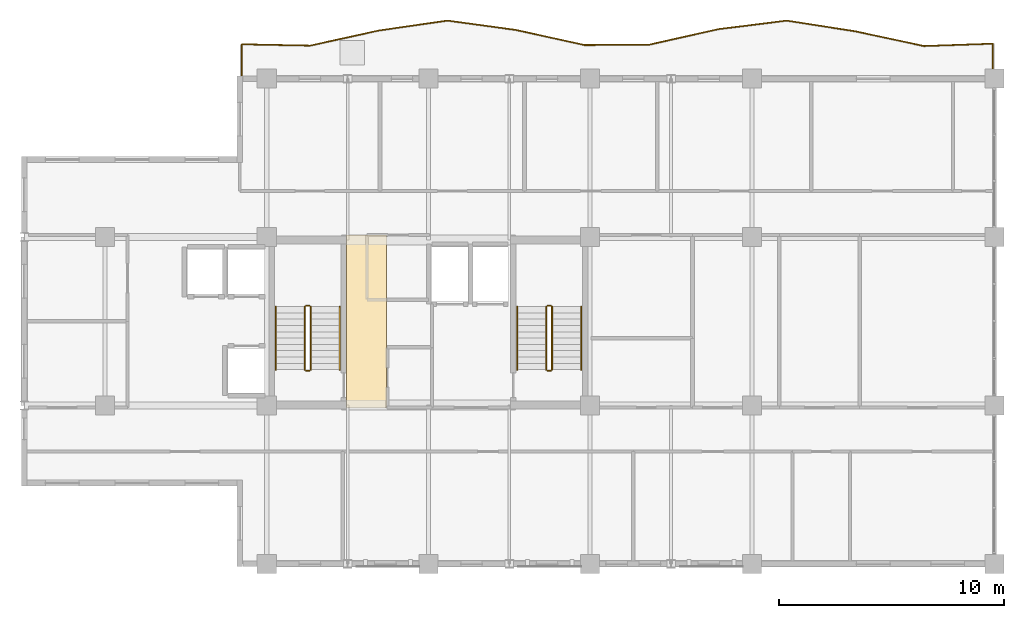
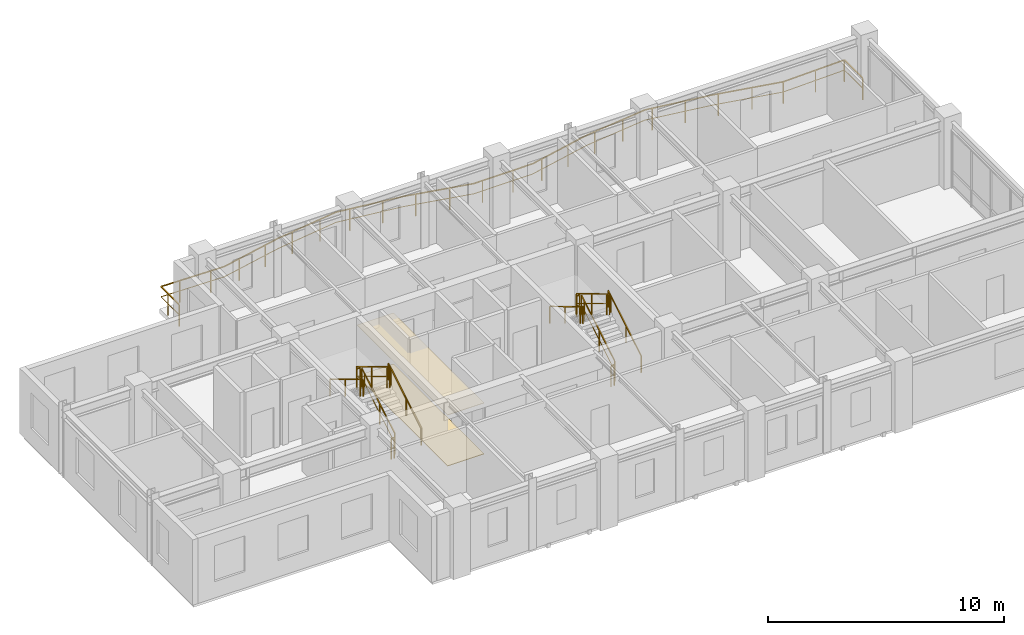
# One storey, part 10 of 10: 13 railings, 2 coverings.
"""IFC4 building model written with IfcOpenShell, lengths in metres."""

from ifc_helpers import new_model, si_unit, direction, frame, origin, origin_2d, place, context, subcontext, project, spatial, rectangle, extrude, source, transform, mapped, material, layer, layer_set, type_object, element, save


model = new_model("IFC4")

# Units and contexts
model_context = context("Model", 3, precision=1e-05, world=origin(), true_north=direction((0.0, 1.0)))
body_context = subcontext(model_context, "Body", "Model", "MODEL_VIEW")
ifc_project = project(units=[si_unit("LENGTHUNIT", "METRE"), si_unit("AREAUNIT", "SQUARE_METRE"), si_unit("VOLUMEUNIT", "CUBIC_METRE"), si_unit("PLANEANGLEUNIT", "RADIAN"), si_unit("MASSUNIT", "GRAM", prefix="KILO")], contexts=[model_context])

# Site, building, storey
site_placement = place(None, origin())
site = spatial("IfcSite", under=ifc_project, at=site_placement, CompositionType="ELEMENT")
building_placement = place(site_placement, origin())
building = spatial("IfcBuilding", under=site, at=building_placement, Name="Kaliganga Portal Commons", CompositionType="ELEMENT")
storey_placement = place(building_placement, frame((0.0, 0.0, 294.300048828125)))
storey = spatial("IfcBuildingStorey", under=building, at=storey_placement, Name="L76", CompositionType="ELEMENT", Elevation=294.300048828125)

# Railings
ifc_material_1 = material(Name="Laminated Safety Glass and Stainless Steel 316", Category="steel")
railing_type_1 = type_object("IfcRailingType", Name="RLG-BAL-1150", PredefinedType="BALUSTRADE", material=ifc_material_1)
railing_1_placement = place(storey_placement, frame((46.720458984375, 43.207763671875, 0.0)))
element("IfcRailing", 1, at=railing_1_placement, inside=storey, type_object=railing_type_1, Name="Balcony Guardrail L76 balc_north", PredefinedType="BALUSTRADE", context=body_context, shape_type="SweptSolid", body=[
    extrude(rectangle(XDim=0.048095703125, YDim=0.048095703125, at=origin_2d()), frame((0.0, 0.0, 1.1259765625), z_axis=(-0.000314415957, 0.999999950571, 0.0), x_axis=(-0.999999950571, -0.000314415957, 0.0)), (0.0, 0.0, 1.0), 1.552978515625),
    extrude(rectangle(XDim=0.028076171875, YDim=0.028076171875, at=origin_2d()), frame((0.0, 0.0, 0.597900390625), z_axis=(-0.000314415957, 0.999999950571, 0.0), x_axis=(-0.999999950571, -0.000314415957, 0.0)), (0.0, 0.0, 1.0), 1.552978515625),
    extrude(rectangle(XDim=0.048095703125, YDim=0.048095703125, at=origin_2d()), frame((-0.00048828125, 1.552978515625, 1.1259765625), z_axis=(-0.999409882753, -0.034349472431, 0.0), x_axis=(0.034349472431, -0.999409882753, 0.0)), (0.0, 0.0, 1.0), 3.05615234375),
    extrude(rectangle(XDim=0.028076171875, YDim=0.028076171875, at=origin_2d()), frame((-0.00048828125, 1.552978515625, 0.597900390625), z_axis=(-0.999409882753, -0.034349472431, 0.0), x_axis=(0.034349472431, -0.999409882753, 0.0)), (0.0, 0.0, 1.0), 3.05615234375),
    extrude(rectangle(XDim=0.048095703125, YDim=0.048095703125, at=origin_2d()), frame((-3.054931640625, 1.447998046875, 1.1259765625), z_axis=(-0.977817280433, 0.209459700388, 0.0), x_axis=(-0.209459700388, -0.977817280433, 0.0)), (0.0, 0.0, 1.0), 3.123779296875),
    extrude(rectangle(XDim=0.028076171875, YDim=0.028076171875, at=origin_2d()), frame((-3.054931640625, 1.447998046875, 0.597900390625), z_axis=(-0.977817280433, 0.209459700388, 0.0), x_axis=(-0.209459700388, -0.977817280433, 0.0)), (0.0, 0.0, 1.0), 3.123779296875),
    extrude(rectangle(XDim=0.048095703125, YDim=0.048095703125, at=origin_2d()), frame((-6.109375, 2.102294921875, 1.1259765625), z_axis=(-0.987996218209, 0.154478065773, 0.0), x_axis=(-0.154478065773, -0.987996218209, 0.0)), (0.0, 0.0, 1.0), 3.09130859375),
    extrude(rectangle(XDim=0.028076171875, YDim=0.028076171875, at=origin_2d()), frame((-6.109375, 2.102294921875, 0.597900390625), z_axis=(-0.987996218209, 0.154478065773, 0.0), x_axis=(-0.154478065773, -0.987996218209, 0.0)), (0.0, 0.0, 1.0), 3.09130859375),
    extrude(rectangle(XDim=0.048095703125, YDim=0.048095703125, at=origin_2d()), frame((-9.16357421875, 2.579833984375, 1.1259765625), z_axis=(-0.992315657939, -0.123732109854, 0.0), x_axis=(0.123732109854, -0.992315657939, 0.0)), (0.0, 0.0, 1.0), 3.078125),
    extrude(rectangle(XDim=0.028076171875, YDim=0.028076171875, at=origin_2d()), frame((-9.16357421875, 2.579833984375, 0.597900390625), z_axis=(-0.992315657939, -0.123732109854, 0.0), x_axis=(0.123732109854, -0.992315657939, 0.0)), (0.0, 0.0, 1.0), 3.078125),
    extrude(rectangle(XDim=0.048095703125, YDim=0.048095703125, at=origin_2d()), frame((-12.218017578125, 2.198974609375, 1.1259765625), z_axis=(-0.975683592517, -0.219183775159, 0.0), x_axis=(0.219183775159, -0.975683592517, 0.0)), (0.0, 0.0, 1.0), 3.131103515625),
    extrude(rectangle(XDim=0.028076171875, YDim=0.028076171875, at=origin_2d()), frame((-12.218017578125, 2.198974609375, 0.597900390625), z_axis=(-0.975683592517, -0.219183775159, 0.0), x_axis=(0.219183775159, -0.975683592517, 0.0)), (0.0, 0.0, 1.0), 3.131103515625),
    extrude(rectangle(XDim=0.048095703125, YDim=0.048095703125, at=origin_2d()), frame((-15.27294921875, 1.5126953125, 1.1259765625), z_axis=(-0.999971839813, -0.0075046373, 0.0), x_axis=(0.0075046373, -0.999971839813, 0.0)), (0.0, 0.0, 1.0), 2.895263671875),
    extrude(rectangle(XDim=0.028076171875, YDim=0.028076171875, at=origin_2d()), frame((-15.27294921875, 1.5126953125, 0.597900390625), z_axis=(-0.999971839813, -0.0075046373, 0.0), x_axis=(0.0075046373, -0.999971839813, 0.0)), (0.0, 0.0, 1.0), 2.895263671875),
    extrude(rectangle(XDim=0.048095703125, YDim=0.048095703125, at=origin_2d()), frame((-18.168212890625, 1.490966796875, 1.1259765625), z_axis=(-0.976605796385, 0.215037481541, 0.0), x_axis=(-0.215037481541, -0.976605796385, 0.0)), (0.0, 0.0, 1.0), 3.1279296875),
    extrude(rectangle(XDim=0.028076171875, YDim=0.028076171875, at=origin_2d()), frame((-18.168212890625, 1.490966796875, 0.597900390625), z_axis=(-0.976605796385, 0.215037481541, 0.0), x_axis=(-0.215037481541, -0.976605796385, 0.0)), (0.0, 0.0, 1.0), 3.1279296875),
    extrude(rectangle(XDim=0.048095703125, YDim=0.048095703125, at=origin_2d()), frame((-21.222900390625, 2.16357421875, 1.1259765625), z_axis=(-0.990745644969, 0.135731599031, 0.0), x_axis=(-0.135731599031, -0.990745644969, 0.0)), (0.0, 0.0, 1.0), 3.0830078125),
    extrude(rectangle(XDim=0.028076171875, YDim=0.028076171875, at=origin_2d()), frame((-21.222900390625, 2.16357421875, 0.597900390625), z_axis=(-0.990745644969, 0.135731599031, 0.0), x_axis=(-0.135731599031, -0.990745644969, 0.0)), (0.0, 0.0, 1.0), 3.0830078125),
    extrude(rectangle(XDim=0.048095703125, YDim=0.048095703125, at=origin_2d()), frame((-24.27734375, 2.58203125, 1.1259765625), z_axis=(-0.989649855278, -0.14350318445, 0.0), x_axis=(0.14350318445, -0.989649855278, 0.0)), (0.0, 0.0, 1.0), 3.086181640625),
    extrude(rectangle(XDim=0.028076171875, YDim=0.028076171875, at=origin_2d()), frame((-24.27734375, 2.58203125, 0.597900390625), z_axis=(-0.989649855278, -0.14350318445, 0.0), x_axis=(0.14350318445, -0.989649855278, 0.0)), (0.0, 0.0, 1.0), 3.086181640625),
    extrude(rectangle(XDim=0.048095703125, YDim=0.048095703125, at=origin_2d()), frame((-27.33154296875, 2.13916015625, 1.1259765625), z_axis=(-0.976634964869, -0.214904968291, 0.0), x_axis=(0.214904968291, -0.976634964869, 0.0)), (0.0, 0.0, 1.0), 3.12744140625),
    extrude(rectangle(XDim=0.028076171875, YDim=0.028076171875, at=origin_2d()), frame((-27.33154296875, 2.13916015625, 0.597900390625), z_axis=(-0.976634964869, -0.214904968291, 0.0), x_axis=(0.214904968291, -0.976634964869, 0.0)), (0.0, 0.0, 1.0), 3.12744140625),
    extrude(rectangle(XDim=0.048095703125, YDim=0.048095703125, at=origin_2d()), frame((-30.385986328125, 1.467041015625, 1.1259765625), z_axis=(-0.999808312745, 0.019579013398, 0.0), x_axis=(-0.019579013398, -0.999808312745, 0.0)), (0.0, 0.0, 1.0), 3.054931640625),
    extrude(rectangle(XDim=0.028076171875, YDim=0.028076171875, at=origin_2d()), frame((-30.385986328125, 1.467041015625, 0.597900390625), z_axis=(-0.999808312745, 0.019579013398, 0.0), x_axis=(-0.019579013398, -0.999808312745, 0.0)), (0.0, 0.0, 1.0), 3.054931640625),
    extrude(rectangle(XDim=0.048095703125, YDim=0.048095703125, at=origin_2d()), frame((-33.4404296875, 1.52685546875, 1.1259765625), z_axis=(-0.000319795315, -0.999999948865, 0.0), x_axis=(0.999999948865, -0.000319795315, 0.0)), (0.0, 0.0, 1.0), 1.52685546875),
    extrude(rectangle(XDim=0.028076171875, YDim=0.028076171875, at=origin_2d()), frame((-33.4404296875, 1.52685546875, 0.597900390625), z_axis=(-0.000319795315, -0.999999948865, 0.0), x_axis=(0.999999948865, -0.000319795315, 0.0)), (0.0, 0.0, 1.0), 1.52685546875),
    extrude(rectangle(XDim=0.0419921875, YDim=0.0419921875, at=origin_2d()), origin(), (0.0, 0.0, 1.0), 1.101806640625),
    extrude(rectangle(XDim=0.0419921875, YDim=0.0419921875, at=origin_2d()), frame((-0.00048828125, 1.552978515625, 0.0)), (0.0, 0.0, 1.0), 1.101806640625),
    extrude(rectangle(XDim=0.0419921875, YDim=0.0419921875, at=origin_2d()), frame((-1.44677734375, 1.503173828125, 0.0)), (0.0, 0.0, 1.0), 1.101806640625),
    extrude(rectangle(XDim=0.0419921875, YDim=0.0419921875, at=origin_2d()), frame((-3.054931640625, 1.447998046875, 0.0)), (0.0, 0.0, 1.0), 1.101806640625),
    extrude(rectangle(XDim=0.0419921875, YDim=0.0419921875, at=origin_2d()), frame((-4.414794921875, 1.7392578125, 0.0)), (0.0, 0.0, 1.0), 1.101806640625),
    extrude(rectangle(XDim=0.0419921875, YDim=0.0419921875, at=origin_2d()), frame((-5.881591796875, 2.053466796875, 0.0)), (0.0, 0.0, 1.0), 1.101806640625),
    extrude(rectangle(XDim=0.0419921875, YDim=0.0419921875, at=origin_2d()), frame((-7.361083984375, 2.298095703125, 0.0)), (0.0, 0.0, 1.0), 1.101806640625),
    extrude(rectangle(XDim=0.0419921875, YDim=0.0419921875, at=origin_2d()), frame((-8.84326171875, 2.52978515625, 0.0)), (0.0, 0.0, 1.0), 1.101806640625),
    extrude(rectangle(XDim=0.0419921875, YDim=0.0419921875, at=origin_2d()), frame((-10.330322265625, 2.434326171875, 0.0)), (0.0, 0.0, 1.0), 1.101806640625),
    extrude(rectangle(XDim=0.0419921875, YDim=0.0419921875, at=origin_2d()), frame((-11.81884765625, 2.248779296875, 0.0)), (0.0, 0.0, 1.0), 1.101806640625),
    extrude(rectangle(XDim=0.0419921875, YDim=0.0419921875, at=origin_2d()), frame((-13.2890625, 1.95849609375, 0.0)), (0.0, 0.0, 1.0), 1.101806640625),
    extrude(rectangle(XDim=0.0419921875, YDim=0.0419921875, at=origin_2d()), frame((-14.75244140625, 1.629638671875, 0.0)), (0.0, 0.0, 1.0), 1.101806640625),
    extrude(rectangle(XDim=0.0419921875, YDim=0.0419921875, at=origin_2d()), frame((-16.239501953125, 1.50537109375, 0.0)), (0.0, 0.0, 1.0), 1.101806640625),
    extrude(rectangle(XDim=0.0419921875, YDim=0.0419921875, at=origin_2d()), frame((-17.739501953125, 1.494140625, 0.0)), (0.0, 0.0, 1.0), 1.101806640625),
    extrude(rectangle(XDim=0.0419921875, YDim=0.0419921875, at=origin_2d()), frame((-19.21435546875, 1.721435546875, 0.0)), (0.0, 0.0, 1.0), 1.101806640625),
    extrude(rectangle(XDim=0.0419921875, YDim=0.0419921875, at=origin_2d()), frame((-20.67919921875, 2.0439453125, 0.0)), (0.0, 0.0, 1.0), 1.101806640625),
    extrude(rectangle(XDim=0.0419921875, YDim=0.0419921875, at=origin_2d()), frame((-22.157470703125, 2.29150390625, 0.0)), (0.0, 0.0, 1.0), 1.101806640625),
    extrude(rectangle(XDim=0.0419921875, YDim=0.0419921875, at=origin_2d()), frame((-23.6435546875, 2.4951171875, 0.0)), (0.0, 0.0, 1.0), 1.101806640625),
    extrude(rectangle(XDim=0.0419921875, YDim=0.0419921875, at=origin_2d()), frame((-25.12890625, 2.45849609375, 0.0)), (0.0, 0.0, 1.0), 1.101806640625),
    extrude(rectangle(XDim=0.0419921875, YDim=0.0419921875, at=origin_2d()), frame((-26.61328125, 2.243408203125, 0.0)), (0.0, 0.0, 1.0), 1.101806640625),
    extrude(rectangle(XDim=0.0419921875, YDim=0.0419921875, at=origin_2d()), frame((-28.087646484375, 1.97265625, 0.0)), (0.0, 0.0, 1.0), 1.101806640625),
    extrude(rectangle(XDim=0.0419921875, YDim=0.0419921875, at=origin_2d()), frame((-29.552734375, 1.650390625, 0.0)), (0.0, 0.0, 1.0), 1.101806640625),
    extrude(rectangle(XDim=0.0419921875, YDim=0.0419921875, at=origin_2d()), frame((-31.032470703125, 1.479736328125, 0.0)), (0.0, 0.0, 1.0), 1.101806640625),
    extrude(rectangle(XDim=0.0419921875, YDim=0.0419921875, at=origin_2d()), frame((-32.5322265625, 1.509033203125, 0.0)), (0.0, 0.0, 1.0), 1.101806640625),
    extrude(rectangle(XDim=0.0419921875, YDim=0.0419921875, at=origin_2d()), frame((-33.440673828125, 0.93505859375, 0.0)), (0.0, 0.0, 1.0), 1.101806640625),
    extrude(rectangle(XDim=0.0419921875, YDim=0.0419921875, at=origin_2d()), frame((-33.44091796875, 0.0, 0.0)), (0.0, 0.0, 1.0), 1.101806640625),
])
ifc_material_2 = material(Name="Galvanized Painted Steel Balustrade", Category="steel")
railing_type_2 = type_object("IfcRailingType", Name="RLG-STAIR-GRD", PredefinedType="GUARDRAIL", material=ifc_material_2)
railing_2_placement = place(storey_placement, frame((16.35009765625, 30.25, 0.168212890625)))
element("IfcRailing", 2, at=railing_2_placement, inside=storey, type_object=railing_type_2, Name="L76 ST-A1 stair guard 1", PredefinedType="GUARDRAIL", context=body_context, shape_type="SweptSolid", body=[
    extrude(rectangle(XDim=0.048095703125, YDim=0.048095703125, at=origin_2d()), frame((0.0, 0.0, 1.072021484375), z_axis=(0.0, 0.857275202839, 0.514858452973), x_axis=(-1.0, 0.0, 0.0)), (0.0, 0.0, 1.0), 3.26611328125),
    extrude(rectangle(XDim=0.028076171875, YDim=0.028076171875, at=origin_2d()), frame((0.0, 0.0, 0.572021484375), z_axis=(0.0, 0.857275202839, 0.514858452973), x_axis=(-1.0, 0.0, 0.0)), (0.0, 0.0, 1.0), 3.26611328125),
    extrude(rectangle(XDim=0.0419921875, YDim=0.0419921875, at=origin_2d()), origin(), (0.0, 0.0, 1.0), 1.052001953125),
    extrude(rectangle(XDim=0.0419921875, YDim=0.0419921875, at=origin_2d()), frame((0.0, 1.285888671875, 0.772216796875)), (0.0, 0.0, 1.0), 1.052001953125),
    extrude(rectangle(XDim=0.0419921875, YDim=0.0419921875, at=origin_2d()), frame((0.0, 2.57177734375, 1.544677734375)), (0.0, 0.0, 1.0), 1.052001953125),
    extrude(rectangle(XDim=0.0419921875, YDim=0.0419921875, at=origin_2d()), frame((0.0, 2.800048828125, 1.681640625)), (0.0, 0.0, 1.0), 1.052001953125),
])
railing_3_placement = place(storey_placement, frame((16.300048828125, 33.10009765625, 1.849853515625)))
element("IfcRailing", 3, at=railing_3_placement, inside=storey, type_object=railing_type_2, Name="L76 ST-A1 stair guard 2", PredefinedType="GUARDRAIL", context=body_context, shape_type="SweptSolid", body=[
    extrude(rectangle(XDim=0.048095703125, YDim=0.048095703125, at=origin_2d()), frame((0.0, 0.0, 1.076171875), z_axis=(-1.0, 0.0, 0.0), x_axis=(0.0, -1.0, 0.0)), (0.0, 0.0, 1.0), 0.150146484375),
    extrude(rectangle(XDim=0.028076171875, YDim=0.028076171875, at=origin_2d()), frame((0.0, 0.0, 0.572021484375), z_axis=(-1.0, 0.0, 0.0), x_axis=(0.0, -1.0, 0.0)), (0.0, 0.0, 1.0), 0.150146484375),
    extrude(rectangle(XDim=0.0419921875, YDim=0.0419921875, at=origin_2d()), origin(), (0.0, 0.0, 1.0), 1.052001953125),
    extrude(rectangle(XDim=0.0419921875, YDim=0.0419921875, at=origin_2d()), frame((-0.150146484375, 0.0, 0.0)), (0.0, 0.0, 1.0), 1.052001953125),
])
railing_4_placement = place(storey_placement, frame((16.10009765625, 33.050048828125, 2.01806640625)))
element("IfcRailing", 4, at=railing_4_placement, inside=storey, type_object=railing_type_2, Name="L76 ST-A1 stair guard 3", PredefinedType="GUARDRAIL", context=body_context, shape_type="SweptSolid", body=[
    extrude(rectangle(XDim=0.048095703125, YDim=0.048095703125, at=origin_2d()), frame((0.0, 0.0, 1.072021484375), z_axis=(0.0, -0.857242210791, 0.514913383045), x_axis=(1.0, 0.0, 0.0)), (0.0, 0.0, 1.0), 3.266357421875),
    extrude(rectangle(XDim=0.028076171875, YDim=0.028076171875, at=origin_2d()), frame((0.0, 0.0, 0.572021484375), z_axis=(0.0, -0.857242210791, 0.514913383045), x_axis=(1.0, 0.0, 0.0)), (0.0, 0.0, 1.0), 3.266357421875),
    extrude(rectangle(XDim=0.0419921875, YDim=0.0419921875, at=origin_2d()), origin(), (0.0, 0.0, 1.0), 1.052001953125),
    extrude(rectangle(XDim=0.0419921875, YDim=0.0419921875, at=origin_2d()), frame((0.0, -1.285888671875, 0.7724609375)), (0.0, 0.0, 1.0), 1.052001953125),
    extrude(rectangle(XDim=0.0419921875, YDim=0.0419921875, at=origin_2d()), frame((0.0, -2.57177734375, 1.544677734375)), (0.0, 0.0, 1.0), 1.052001953125),
    extrude(rectangle(XDim=0.0419921875, YDim=0.0419921875, at=origin_2d()), frame((0.0, -2.800048828125, 1.681884765625)), (0.0, 0.0, 1.0), 1.052001953125),
])
railing_5_placement = place(storey_placement, frame((16.300048828125, 30.199951171875, 0.0)))
element("IfcRailing", 5, at=railing_5_placement, inside=storey, type_object=railing_type_2, Name="L76 ST-A1 stair guard 4", PredefinedType="GUARDRAIL", context=body_context, shape_type="SweptSolid", body=[
    extrude(rectangle(XDim=0.048095703125, YDim=0.048095703125, at=origin_2d()), frame((0.0, 0.0, 1.076171875), z_axis=(-1.0, 0.0, 0.0), x_axis=(0.0, -1.0, 0.0)), (0.0, 0.0, 1.0), 0.150146484375),
    extrude(rectangle(XDim=0.028076171875, YDim=0.028076171875, at=origin_2d()), frame((0.0, 0.0, 0.572021484375), z_axis=(-1.0, 0.0, 0.0), x_axis=(0.0, -1.0, 0.0)), (0.0, 0.0, 1.0), 0.150146484375),
    extrude(rectangle(XDim=0.0419921875, YDim=0.0419921875, at=origin_2d()), origin(), (0.0, 0.0, 1.0), 1.052001953125),
    extrude(rectangle(XDim=0.0419921875, YDim=0.0419921875, at=origin_2d()), frame((-0.150146484375, 0.0, 0.0)), (0.0, 0.0, 1.0), 1.052001953125),
])
railing_6_placement = place(storey_placement, frame((27.10009765625, 30.25, 0.168212890625)))
element("IfcRailing", 6, at=railing_6_placement, inside=storey, type_object=railing_type_2, Name="L76 ST-A2 stair guard 1", PredefinedType="GUARDRAIL", context=body_context, shape_type="SweptSolid", body=[
    extrude(rectangle(XDim=0.048095703125, YDim=0.048095703125, at=origin_2d()), frame((0.0, 0.0, 1.072021484375), z_axis=(0.0, 0.857275202839, 0.514858452973), x_axis=(-1.0, 0.0, 0.0)), (0.0, 0.0, 1.0), 3.26611328125),
    extrude(rectangle(XDim=0.028076171875, YDim=0.028076171875, at=origin_2d()), frame((0.0, 0.0, 0.572021484375), z_axis=(0.0, 0.857275202839, 0.514858452973), x_axis=(-1.0, 0.0, 0.0)), (0.0, 0.0, 1.0), 3.26611328125),
    extrude(rectangle(XDim=0.0419921875, YDim=0.0419921875, at=origin_2d()), origin(), (0.0, 0.0, 1.0), 1.052001953125),
    extrude(rectangle(XDim=0.0419921875, YDim=0.0419921875, at=origin_2d()), frame((0.0, 1.285888671875, 0.772216796875)), (0.0, 0.0, 1.0), 1.052001953125),
    extrude(rectangle(XDim=0.0419921875, YDim=0.0419921875, at=origin_2d()), frame((0.0, 2.57177734375, 1.544677734375)), (0.0, 0.0, 1.0), 1.052001953125),
    extrude(rectangle(XDim=0.0419921875, YDim=0.0419921875, at=origin_2d()), frame((0.0, 2.800048828125, 1.681640625)), (0.0, 0.0, 1.0), 1.052001953125),
])
railing_7_placement = place(storey_placement, frame((27.050048828125, 33.10009765625, 1.849853515625)))
element("IfcRailing", 7, at=railing_7_placement, inside=storey, type_object=railing_type_2, Name="L76 ST-A2 stair guard 2", PredefinedType="GUARDRAIL", context=body_context, shape_type="SweptSolid", body=[
    extrude(rectangle(XDim=0.048095703125, YDim=0.048095703125, at=origin_2d()), frame((0.0, 0.0, 1.076171875), z_axis=(-1.0, 0.0, 0.0), x_axis=(0.0, -1.0, 0.0)), (0.0, 0.0, 1.0), 0.150146484375),
    extrude(rectangle(XDim=0.028076171875, YDim=0.028076171875, at=origin_2d()), frame((0.0, 0.0, 0.572021484375), z_axis=(-1.0, 0.0, 0.0), x_axis=(0.0, -1.0, 0.0)), (0.0, 0.0, 1.0), 0.150146484375),
    extrude(rectangle(XDim=0.0419921875, YDim=0.0419921875, at=origin_2d()), origin(), (0.0, 0.0, 1.0), 1.052001953125),
    extrude(rectangle(XDim=0.0419921875, YDim=0.0419921875, at=origin_2d()), frame((-0.150146484375, 0.0, 0.0)), (0.0, 0.0, 1.0), 1.052001953125),
])
railing_8_placement = place(storey_placement, frame((26.85009765625, 33.050048828125, 2.01806640625)))
element("IfcRailing", 8, at=railing_8_placement, inside=storey, type_object=railing_type_2, Name="L76 ST-A2 stair guard 3", PredefinedType="GUARDRAIL", context=body_context, shape_type="SweptSolid", body=[
    extrude(rectangle(XDim=0.048095703125, YDim=0.048095703125, at=origin_2d()), frame((0.0, 0.0, 1.072021484375), z_axis=(0.0, -0.857242210791, 0.514913383045), x_axis=(1.0, 0.0, 0.0)), (0.0, 0.0, 1.0), 3.266357421875),
    extrude(rectangle(XDim=0.028076171875, YDim=0.028076171875, at=origin_2d()), frame((0.0, 0.0, 0.572021484375), z_axis=(0.0, -0.857242210791, 0.514913383045), x_axis=(1.0, 0.0, 0.0)), (0.0, 0.0, 1.0), 3.266357421875),
    extrude(rectangle(XDim=0.0419921875, YDim=0.0419921875, at=origin_2d()), origin(), (0.0, 0.0, 1.0), 1.052001953125),
    extrude(rectangle(XDim=0.0419921875, YDim=0.0419921875, at=origin_2d()), frame((0.0, -1.285888671875, 0.7724609375)), (0.0, 0.0, 1.0), 1.052001953125),
    extrude(rectangle(XDim=0.0419921875, YDim=0.0419921875, at=origin_2d()), frame((0.0, -2.57177734375, 1.544677734375)), (0.0, 0.0, 1.0), 1.052001953125),
    extrude(rectangle(XDim=0.0419921875, YDim=0.0419921875, at=origin_2d()), frame((0.0, -2.800048828125, 1.681884765625)), (0.0, 0.0, 1.0), 1.052001953125),
])
railing_9_placement = place(storey_placement, frame((27.050048828125, 30.199951171875, 0.0)))
element("IfcRailing", 9, at=railing_9_placement, inside=storey, type_object=railing_type_2, Name="L76 ST-A2 stair guard 4", PredefinedType="GUARDRAIL", context=body_context, shape_type="SweptSolid", body=[
    extrude(rectangle(XDim=0.048095703125, YDim=0.048095703125, at=origin_2d()), frame((0.0, 0.0, 1.076171875), z_axis=(-1.0, 0.0, 0.0), x_axis=(0.0, -1.0, 0.0)), (0.0, 0.0, 1.0), 0.150146484375),
    extrude(rectangle(XDim=0.028076171875, YDim=0.028076171875, at=origin_2d()), frame((0.0, 0.0, 0.572021484375), z_axis=(-1.0, 0.0, 0.0), x_axis=(0.0, -1.0, 0.0)), (0.0, 0.0, 1.0), 0.150146484375),
    extrude(rectangle(XDim=0.0419921875, YDim=0.0419921875, at=origin_2d()), origin(), (0.0, 0.0, 1.0), 1.052001953125),
    extrude(rectangle(XDim=0.0419921875, YDim=0.0419921875, at=origin_2d()), frame((-0.150146484375, 0.0, 0.0)), (0.0, 0.0, 1.0), 1.052001953125),
])
ifc_material_3 = material(Name="Brushed Stainless Steel 316", Category="steel")
railing_type_3 = type_object("IfcRailingType", Name="RLG-STAIR-HR", PredefinedType="HANDRAIL", material=ifc_material_3)
railing_10_placement = place(storey_placement, frame((17.64990234375, 30.25, 0.168212890625)))
element("IfcRailing", 10, at=railing_10_placement, inside=storey, type_object=railing_type_3, Name="L76 ST-A1 stair handrail 1", PredefinedType="HANDRAIL", context=body_context, shape_type="SweptSolid", body=[
    extrude(rectangle(XDim=0.048095703125, YDim=0.048095703125, at=origin_2d()), frame((0.0, 0.0, 0.871826171875), z_axis=(0.0, 0.857275202839, 0.514858452973), x_axis=(-1.0, 0.0, 0.0)), (0.0, 0.0, 1.0), 3.26611328125),
    extrude(rectangle(XDim=0.0419921875, YDim=0.0419921875, at=origin_2d()), origin(), (0.0, 0.0, 1.0), 0.851806640625),
    extrude(rectangle(XDim=0.0419921875, YDim=0.0419921875, at=origin_2d()), frame((0.0, 1.285888671875, 0.772216796875)), (0.0, 0.0, 1.0), 0.851806640625),
    extrude(rectangle(XDim=0.0419921875, YDim=0.0419921875, at=origin_2d()), frame((0.0, 2.57177734375, 1.544677734375)), (0.0, 0.0, 1.0), 0.851806640625),
    extrude(rectangle(XDim=0.0419921875, YDim=0.0419921875, at=origin_2d()), frame((0.0, 2.800048828125, 1.681640625)), (0.0, 0.0, 1.0), 0.851806640625),
])
railing_11_placement = place(storey_placement, frame((14.800048828125, 33.050048828125, 2.01806640625)))
element("IfcRailing", 11, at=railing_11_placement, inside=storey, type_object=railing_type_3, Name="L76 ST-A1 stair handrail 2", PredefinedType="HANDRAIL", context=body_context, shape_type="SweptSolid", body=[
    extrude(rectangle(XDim=0.048095703125, YDim=0.048095703125, at=origin_2d()), frame((0.0, 0.0, 0.871826171875), z_axis=(0.0, -0.857242210791, 0.514913383045), x_axis=(1.0, 0.0, 0.0)), (0.0, 0.0, 1.0), 3.266357421875),
    extrude(rectangle(XDim=0.0419921875, YDim=0.0419921875, at=origin_2d()), origin(), (0.0, 0.0, 1.0), 0.851806640625),
    extrude(rectangle(XDim=0.0419921875, YDim=0.0419921875, at=origin_2d()), frame((0.0, -1.285888671875, 0.7724609375)), (0.0, 0.0, 1.0), 0.851806640625),
    extrude(rectangle(XDim=0.0419921875, YDim=0.0419921875, at=origin_2d()), frame((0.0, -2.57177734375, 1.544677734375)), (0.0, 0.0, 1.0), 0.851806640625),
    extrude(rectangle(XDim=0.0419921875, YDim=0.0419921875, at=origin_2d()), frame((0.0, -2.800048828125, 1.681884765625)), (0.0, 0.0, 1.0), 0.851806640625),
])
railing_12_placement = place(storey_placement, frame((28.39990234375, 30.25, 0.168212890625)))
element("IfcRailing", 12, at=railing_12_placement, inside=storey, type_object=railing_type_3, Name="L76 ST-A2 stair handrail 1", PredefinedType="HANDRAIL", context=body_context, shape_type="SweptSolid", body=[
    extrude(rectangle(XDim=0.048095703125, YDim=0.048095703125, at=origin_2d()), frame((0.0, 0.0, 0.871826171875), z_axis=(0.0, 0.857275202839, 0.514858452973), x_axis=(-1.0, 0.0, 0.0)), (0.0, 0.0, 1.0), 3.26611328125),
    extrude(rectangle(XDim=0.0419921875, YDim=0.0419921875, at=origin_2d()), origin(), (0.0, 0.0, 1.0), 0.851806640625),
    extrude(rectangle(XDim=0.0419921875, YDim=0.0419921875, at=origin_2d()), frame((0.0, 1.285888671875, 0.772216796875)), (0.0, 0.0, 1.0), 0.851806640625),
    extrude(rectangle(XDim=0.0419921875, YDim=0.0419921875, at=origin_2d()), frame((0.0, 2.57177734375, 1.544677734375)), (0.0, 0.0, 1.0), 0.851806640625),
    extrude(rectangle(XDim=0.0419921875, YDim=0.0419921875, at=origin_2d()), frame((0.0, 2.800048828125, 1.681640625)), (0.0, 0.0, 1.0), 0.851806640625),
])
railing_13_placement = place(storey_placement, frame((25.550048828125, 33.050048828125, 2.01806640625)))
element("IfcRailing", 13, at=railing_13_placement, inside=storey, type_object=railing_type_3, Name="L76 ST-A2 stair handrail 2", PredefinedType="HANDRAIL", context=body_context, shape_type="SweptSolid", body=[
    extrude(rectangle(XDim=0.048095703125, YDim=0.048095703125, at=origin_2d()), frame((0.0, 0.0, 0.871826171875), z_axis=(0.0, -0.857242210791, 0.514913383045), x_axis=(1.0, 0.0, 0.0)), (0.0, 0.0, 1.0), 3.266357421875),
    extrude(rectangle(XDim=0.0419921875, YDim=0.0419921875, at=origin_2d()), origin(), (0.0, 0.0, 1.0), 0.851806640625),
    extrude(rectangle(XDim=0.0419921875, YDim=0.0419921875, at=origin_2d()), frame((0.0, -1.285888671875, 0.7724609375)), (0.0, 0.0, 1.0), 0.851806640625),
    extrude(rectangle(XDim=0.0419921875, YDim=0.0419921875, at=origin_2d()), frame((0.0, -2.57177734375, 1.544677734375)), (0.0, 0.0, 1.0), 0.851806640625),
    extrude(rectangle(XDim=0.0419921875, YDim=0.0419921875, at=origin_2d()), frame((0.0, -2.800048828125, 1.681884765625)), (0.0, 0.0, 1.0), 0.851806640625),
])

# Coverings
ifc_material_4 = material(Name="Acoustic Micro-Perforated Gypsum Ceiling", Category="gypsum")
ifc_layer_1 = layer(ifc_material_4, 0.02001953125)
ifc_layer_set_1 = layer_set([ifc_layer_1], Name="Acoustic Micro-Perforated Gypsum Ceiling")
covering_type_1 = type_object("IfcCoveringType", Name="COV-CEIL-GYP", PredefinedType="CEILING", material=ifc_layer_set_1)
shared_shape_1 = source(origin(), body_context, "Body", "SweptSolid", [
    extrude(rectangle(XDim=1.780029296875, YDim=7.679931640625, at=origin_2d()), origin(), (0.0, 0.0, 1.0), 0.02001953125),
])
covering_1_placement = place(storey_placement, frame((18.85009765625, 32.39990234375, 2.639892578125), z_axis=(0.0, 0.0, 1.0), x_axis=(1.0, 0.0, 0.0)))
element("IfcCovering", 14, at=covering_1_placement, inside=storey, type_object=covering_type_1, Name="Acoustic Ceiling L76 PLOB_A", PredefinedType="CEILING", context=body_context, shape_type="MappedRepresentation", body=[
    mapped(shared_shape_1, transform((0.0, 0.0, 0.0), x_axis=(1.0, 0.0, 0.0), y_axis=(0.0, 1.0, 0.0), z_axis=(0.0, 0.0, 1.0), scale=1.0)),
])
ifc_material_5 = material(Name="Polished Sylhet Stone Terrazzo Flooring", Category="masonry")
ifc_layer_2 = layer(ifc_material_5, 0.02490234375)
ifc_layer_set_2 = layer_set([ifc_layer_2], Name="Polished Sylhet Stone Terrazzo Flooring")
covering_type_2 = type_object("IfcCoveringType", Name="COV-FLR-TERRAZZO", PredefinedType="FLOORING", material=ifc_layer_set_2)
shared_shape_2 = source(origin(), body_context, "Body", "SweptSolid", [
    extrude(rectangle(XDim=1.780029296875, YDim=7.679931640625, at=origin_2d()), origin(), (0.0, 0.0, 1.0), 0.02490234375),
])
covering_2_placement = place(storey_placement, frame((18.85009765625, 32.39990234375, 0.00048828125), z_axis=(0.0, 0.0, 1.0), x_axis=(1.0, 0.0, 0.0)))
element("IfcCovering", 15, at=covering_2_placement, inside=storey, type_object=covering_type_2, Name="Terrazzo Flooring L76 PLOB_A", PredefinedType="FLOORING", context=body_context, shape_type="MappedRepresentation", body=[
    mapped(shared_shape_2, transform((0.0, 0.0, 0.0), x_axis=(1.0, 0.0, 0.0), y_axis=(0.0, 1.0, 0.0), z_axis=(0.0, 0.0, 1.0), scale=1.0)),
])

save(model, "model.ifc")
